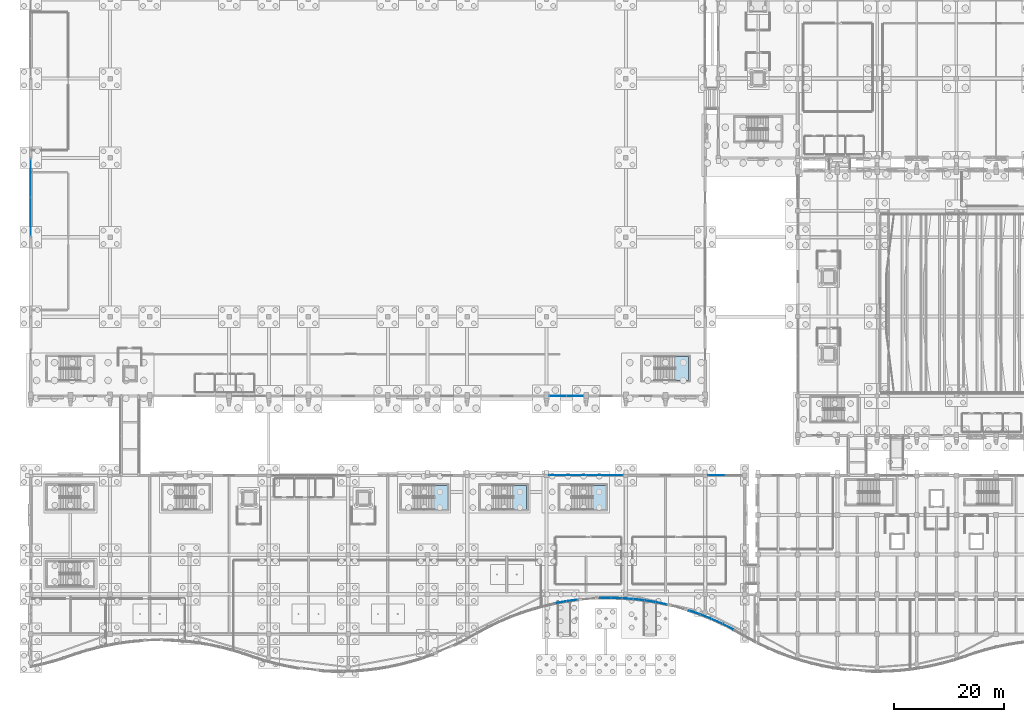
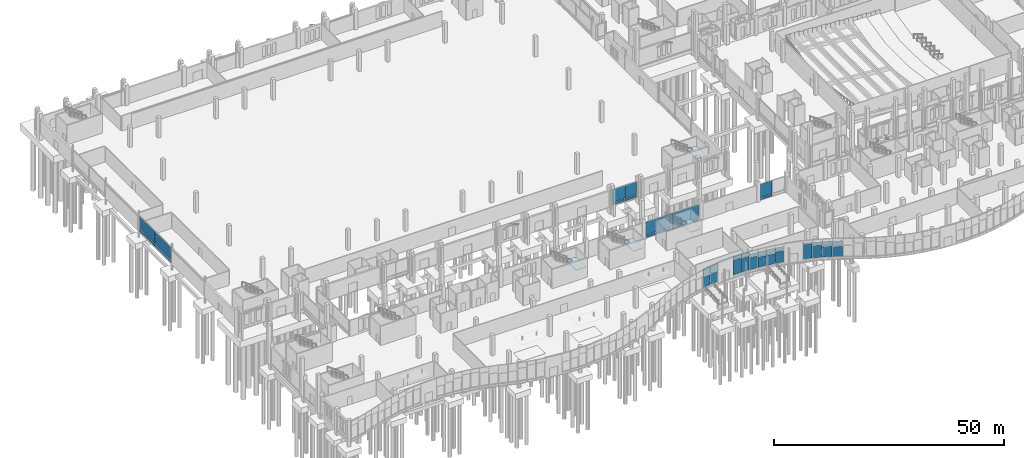
# One storey, part 124 of 192: 38 plates, 4 slabs, 20 elements without a shape of their own.
"""IFC4 building model written with IfcOpenShell, lengths in metres."""

from ifc_helpers import new_model, si_unit, direction, frame, origin, origin_2d, place, context, subcontext, project, spatial, polyline, rectangle, outline, extrude, material, layer, layer_set, type_object, element, aggregate, save


model = new_model("IFC4")

# Units and contexts
model_context = context("Model", 3, precision=1e-05, world=origin(), true_north=direction((0.0, 1.0)))
body_context = subcontext(model_context, "Body", "Model", "MODEL_VIEW")
ifc_project = project(units=[si_unit("LENGTHUNIT", "METRE"), si_unit("AREAUNIT", "SQUARE_METRE"), si_unit("VOLUMEUNIT", "CUBIC_METRE"), si_unit("PLANEANGLEUNIT", "RADIAN"), si_unit("MASSUNIT", "GRAM", prefix="KILO")], contexts=[model_context])

# Site, building, storey
site_placement = place(None, origin())
site = spatial("IfcSite", under=ifc_project, at=site_placement, CompositionType="ELEMENT")
building_placement = place(site_placement, origin())
building = spatial("IfcBuilding", under=site, at=building_placement, Name="Cendralis Lancet Convention Centre", CompositionType="ELEMENT")
storey_placement = place(building_placement, origin())
storey = spatial("IfcBuildingStorey", under=building, at=storey_placement, Name="L00", CompositionType="ELEMENT", Elevation=0.0)

# Curtain wall, plate
ifc_material_1 = material(Name="Anodised bronze architectural aluminium", Category="aluminium")
curtain_wall_type_1 = type_object("IfcCurtainWallType", Name="ARC-CW-WF01", PredefinedType="USERDEFINED", material=ifc_material_1)
curtain_wall_1_placement = place(storey_placement, origin())
curtain_wall_1 = element("IfcCurtainWall", 1, at=curtain_wall_1_placement, inside=storey, type_object=curtain_wall_type_1, Name="L00 Curtain Wall CW-WF1 #042", ObjectType="CURTAIN WALL", PredefinedType="USERDEFINED")
ifc_material_2 = material(Name="Double-glazed low-E solar-control glass", Category="glass")
ifc_layer_1 = layer(ifc_material_2, 0.035888671875, Name="Double-glazed low-E solar-control glass")
ifc_layer_set_1 = layer_set([ifc_layer_1], Name="Double-glazed low-E solar-control glass")
plate_type_1 = type_object("IfcPlateType", Name="ARC-PL-GL01", PredefinedType="CURTAIN_PANEL", material=ifc_layer_set_1)
plate_1_placement = place(storey_placement, frame((96.198486328125, 12.96142578125, 0.52001953125), z_axis=(0.0, 0.0, 1.0), x_axis=(0.983799875759, 0.179270199579, 0.0)))
plate_1 = element("IfcPlate", 2, at=plate_1_placement, type_object=plate_type_1, Name="Vision Glass Panel CW2-CW-WF1-L00-042-PG0", PredefinedType="CURTAIN_PANEL", context=body_context, shape_type="SweptSolid", body=[
    extrude(rectangle(XDim=1.918212890625, YDim=0.035888671875, at=origin_2d()), origin(), (0.0, 0.0, 1.0), 2.669921875),
])

curtain_wall_2_placement = place(storey_placement, origin())
curtain_wall_2 = element("IfcCurtainWall", 3, at=curtain_wall_2_placement, inside=storey, type_object=curtain_wall_type_1, Name="L00 Curtain Wall CW-WF1 #043", ObjectType="CURTAIN WALL", PredefinedType="USERDEFINED")
plate_2_placement = place(storey_placement, frame((98.223388671875, 13.285888671875, 0.52001953125), z_axis=(0.0, 0.0, 1.0), x_axis=(0.990575410163, 0.136968451771, 0.0)))
plate_2 = element("IfcPlate", 4, at=plate_2_placement, type_object=plate_type_1, Name="Vision Glass Panel CW2-CW-WF1-L00-043-PG0", PredefinedType="CURTAIN_PANEL", context=body_context, shape_type="SweptSolid", body=[
    extrude(rectangle(XDim=1.904296875, YDim=0.035888671875, at=origin_2d()), origin(), (0.0, 0.0, 1.0), 2.673095703125),
])

curtain_wall_3_placement = place(storey_placement, origin())
curtain_wall_3 = element("IfcCurtainWall", 5, at=curtain_wall_3_placement, inside=storey, type_object=curtain_wall_type_1, Name="L00 Curtain Wall CW-WF1 #044", ObjectType="CURTAIN WALL", PredefinedType="USERDEFINED")
plate_3_placement = place(storey_placement, frame((104.299560546875, 13.736572265625, 0.52001953125), z_axis=(0.0, 0.0, 1.0), x_axis=(0.999946232046, 0.01036981277, 0.0)))
plate_3 = element("IfcPlate", 6, at=plate_3_placement, type_object=plate_type_1, Name="Vision Glass Panel CW2-CW-WF1-L00-044-PG0", PredefinedType="CURTAIN_PANEL", context=body_context, shape_type="SweptSolid", body=[
    extrude(rectangle(XDim=1.885009765625, YDim=0.035888671875, at=origin_2d()), origin(), (0.0, 0.0, 1.0), 3.910888671875),
])

curtain_wall_4_placement = place(storey_placement, origin())
curtain_wall_4 = element("IfcCurtainWall", 7, at=curtain_wall_4_placement, inside=storey, type_object=curtain_wall_type_1, Name="L00 Curtain Wall CW-WF1 #045", ObjectType="CURTAIN WALL", PredefinedType="USERDEFINED")
plate_4_placement = place(storey_placement, frame((106.324462890625, 13.715087890625, 0.52001953125), z_axis=(0.0, 0.0, 1.0), x_axis=(0.999500937782, -0.031589165445, 0.0)))
plate_4 = element("IfcPlate", 8, at=plate_4_placement, type_object=plate_type_1, Name="Vision Glass Panel CW2-CW-WF1-L00-045-PG0", PredefinedType="CURTAIN_PANEL", context=body_context, shape_type="SweptSolid", body=[
    extrude(rectangle(XDim=1.885986328125, YDim=0.035888671875, at=origin_2d()), origin(), (0.0, 0.0, 1.0), 3.694091796875),
])

curtain_wall_5_placement = place(storey_placement, origin())
curtain_wall_5 = element("IfcCurtainWall", 9, at=curtain_wall_5_placement, inside=storey, type_object=curtain_wall_type_1, Name="L00 Curtain Wall CW-WF1 #046", ObjectType="CURTAIN WALL", PredefinedType="USERDEFINED")
plate_5_placement = place(storey_placement, frame((108.349609375, 13.60791015625, 0.52001953125), z_axis=(0.0, 0.0, 1.0), x_axis=(0.997267754457, -0.073871685514, 0.0)))
plate_5 = element("IfcPlate", 10, at=plate_5_placement, type_object=plate_type_1, Name="Vision Glass Panel CW2-CW-WF1-L00-046-PG0", PredefinedType="CURTAIN_PANEL", context=body_context, shape_type="SweptSolid", body=[
    extrude(rectangle(XDim=1.890380859375, YDim=0.035888671875, at=origin_2d()), origin(), (0.0, 0.0, 1.0), 3.160888671875),
])

curtain_wall_6_placement = place(storey_placement, origin())
curtain_wall_6 = element("IfcCurtainWall", 11, at=curtain_wall_6_placement, inside=storey, type_object=curtain_wall_type_1, Name="L00 Curtain Wall CW-WF1 #047", ObjectType="CURTAIN WALL", PredefinedType="USERDEFINED")
plate_6_placement = place(storey_placement, frame((110.375, 13.41455078125, 0.52001953125), z_axis=(0.0, 0.0, 1.0), x_axis=(0.993227354944, -0.116187010426, 0.0)))
plate_6 = element("IfcPlate", 12, at=plate_6_placement, type_object=plate_type_1, Name="Vision Glass Panel CW2-CW-WF1-L00-047-PG0", PredefinedType="CURTAIN_PANEL", context=body_context, shape_type="SweptSolid", body=[
    extrude(rectangle(XDim=1.89990234375, YDim=0.035888671875, at=origin_2d()), origin(), (0.0, 0.0, 1.0), 2.699951171875),
])

curtain_wall_7_placement = place(storey_placement, origin())
curtain_wall_7 = element("IfcCurtainWall", 13, at=curtain_wall_7_placement, inside=storey, type_object=curtain_wall_type_1, Name="L00 Curtain Wall CW-WF1 #048", ObjectType="CURTAIN WALL", PredefinedType="USERDEFINED")
plate_7_placement = place(storey_placement, frame((112.400390625, 13.133544921875, 0.52001953125), z_axis=(0.0, 0.0, 1.0), x_axis=(0.987364450794, -0.158465899514, 0.0)))
plate_7 = element("IfcPlate", 14, at=plate_7_placement, type_object=plate_type_1, Name="Vision Glass Panel CW2-CW-WF1-L00-048-PG0", PredefinedType="CURTAIN_PANEL", context=body_context, shape_type="SweptSolid", body=[
    extrude(rectangle(XDim=1.910888671875, YDim=0.035888671875, at=origin_2d()), origin(), (0.0, 0.0, 1.0), 2.64892578125),
])

curtain_wall_8_placement = place(storey_placement, origin())
curtain_wall_8 = element("IfcCurtainWall", 15, at=curtain_wall_8_placement, inside=storey, type_object=curtain_wall_type_1, Name="L00 Curtain Wall CW-WF1 #049", ObjectType="CURTAIN WALL", PredefinedType="USERDEFINED")
plate_8_placement = place(storey_placement, frame((114.425537109375, 12.763427734375, 0.52001953125), z_axis=(0.0, 0.0, 1.0), x_axis=(0.979639310677, -0.200765587131, 0.0)))
plate_8 = element("IfcPlate", 16, at=plate_8_placement, type_object=plate_type_1, Name="Vision Glass Panel CW2-CW-WF1-L00-049-PG0", PredefinedType="CURTAIN_PANEL", context=body_context, shape_type="SweptSolid", body=[
    extrude(rectangle(XDim=1.927001953125, YDim=0.035888671875, at=origin_2d()), origin(), (0.0, 0.0, 1.0), 3.044921875),
])

curtain_wall_9_placement = place(storey_placement, origin())
curtain_wall_9 = element("IfcCurtainWall", 17, at=curtain_wall_9_placement, inside=storey, type_object=curtain_wall_type_1, Name="L00 Curtain Wall CW-WF1 #050", ObjectType="CURTAIN WALL", PredefinedType="USERDEFINED")
plate_9_placement = place(storey_placement, frame((120.50146484375, 11.096435546875, 0.52001953125), z_axis=(0.0, 0.0, 1.0), x_axis=(0.9449805252, -0.327126591692, 0.0)))
plate_9 = element("IfcPlate", 18, at=plate_9_placement, type_object=plate_type_1, Name="Vision Glass Panel CW2-CW-WF1-L00-050-PG0", PredefinedType="CURTAIN_PANEL", context=body_context, shape_type="SweptSolid", body=[
    extrude(rectangle(XDim=2.0029296875, YDim=0.035888671875, at=origin_2d()), origin(), (0.0, 0.0, 1.0), 3.739990234375),
])

curtain_wall_10_placement = place(storey_placement, origin())
curtain_wall_10 = element("IfcCurtainWall", 19, at=curtain_wall_10_placement, inside=storey, type_object=curtain_wall_type_1, Name="L00 Curtain Wall CW-WF1 #051", ObjectType="CURTAIN WALL", PredefinedType="USERDEFINED")
plate_10_placement = place(storey_placement, frame((122.526611328125, 10.343505859375, 0.52001953125), z_axis=(0.0, 0.0, 1.0), x_axis=(0.929265785117, -0.369411830633, 0.0)))
plate_10 = element("IfcPlate", 20, at=plate_10_placement, type_object=plate_type_1, Name="Vision Glass Panel CW2-CW-WF1-L00-051-PG0", PredefinedType="CURTAIN_PANEL", context=body_context, shape_type="SweptSolid", body=[
    extrude(rectangle(XDim=2.0390625, YDim=0.035888671875, at=origin_2d()), origin(), (0.0, 0.0, 1.0), 3.22412109375),
])

curtain_wall_11_placement = place(storey_placement, origin())
curtain_wall_11 = element("IfcCurtainWall", 21, at=curtain_wall_11_placement, inside=storey, type_object=curtain_wall_type_1, Name="L00 Curtain Wall CW-WF1 #052", ObjectType="CURTAIN WALL", PredefinedType="USERDEFINED")
plate_11_placement = place(storey_placement, frame((124.551513671875, 9.48388671875, 0.52001953125), z_axis=(0.0, 0.0, 1.0), x_axis=(0.911457720958, -0.411393756523, 0.0)))
plate_11 = element("IfcPlate", 22, at=plate_11_placement, type_object=plate_type_1, Name="Vision Glass Panel CW2-CW-WF1-L00-052-PG0", PredefinedType="CURTAIN_PANEL", context=body_context, shape_type="SweptSolid", body=[
    extrude(rectangle(XDim=2.081787109375, YDim=0.035888671875, at=origin_2d()), origin(), (0.0, 0.0, 1.0), 2.735107421875),
])

curtain_wall_12_placement = place(storey_placement, origin())
curtain_wall_12 = element("IfcCurtainWall", 23, at=curtain_wall_12_placement, inside=storey, type_object=curtain_wall_type_1, Name="L00 Curtain Wall CW-WF1 #053", ObjectType="CURTAIN WALL", PredefinedType="USERDEFINED")
plate_12_placement = place(storey_placement, frame((126.576904296875, 8.510986328125, 0.52001953125), z_axis=(0.0, 0.0, 1.0), x_axis=(0.891059634359, -0.453886250085, 0.0)))
plate_12 = element("IfcPlate", 24, at=plate_12_placement, type_object=plate_type_1, Name="Vision Glass Panel CW2-CW-WF1-L00-053-PG0", PredefinedType="CURTAIN_PANEL", context=body_context, shape_type="SweptSolid", body=[
    extrude(rectangle(XDim=2.1337890625, YDim=0.035888671875, at=origin_2d()), origin(), (0.0, 0.0, 1.0), 2.6298828125),
])

# Curtain wall, plates
curtain_wall_type_2 = type_object("IfcCurtainWallType", Name="ARC-CW-CL01", PredefinedType="USERDEFINED", material=ifc_material_1)
curtain_wall_13_placement = place(storey_placement, origin())
curtain_wall_13 = element("IfcCurtainWall", 25, at=curtain_wall_13_placement, inside=storey, type_object=curtain_wall_type_2, Name="L00 Curtain Wall CW-CL1 #092", ObjectType="CURTAIN WALL", PredefinedType="USERDEFINED")
ifc_layer_2 = layer(ifc_material_2, 0.035888671875, Name="Double-glazed low-E solar-control glass")
ifc_layer_set_2 = layer_set([ifc_layer_2], Name="Double-glazed low-E solar-control glass")
plate_type_2 = type_object("IfcPlateType", Name="ARC-PL-GL02", PredefinedType="CURTAIN_PANEL", material=ifc_layer_set_2)
plate_13_placement = place(storey_placement, frame((98.768798828125, 50.39990234375, 0.81982421875), z_axis=(0.0, 0.0, 1.0), x_axis=(-1.0, 0.0, 0.0)))
plate_13 = element("IfcPlate", 26, at=plate_13_placement, type_object=plate_type_2, Name="Vision Glass Panel CW2-CW-CL1-L00-092-PG0", PredefinedType="CURTAIN_PANEL", context=body_context, shape_type="SweptSolid", body=[
    extrude(rectangle(XDim=2.952392578125, YDim=0.035888671875, at=origin_2d()), origin(), (0.0, 0.0, 1.0), 3.364990234375),
])
plate_14_placement = place(storey_placement, frame((95.65625, 50.39990234375, 0.81982421875), z_axis=(0.0, 0.0, 1.0), x_axis=(-1.0, 0.0, 0.0)))
plate_14 = element("IfcPlate", 27, at=plate_14_placement, type_object=plate_type_2, Name="Vision Glass Panel CW2-CW-CL1-L00-092-PG1", PredefinedType="CURTAIN_PANEL", context=body_context, shape_type="SweptSolid", body=[
    extrude(rectangle(XDim=2.952392578125, YDim=0.035888671875, at=origin_2d()), origin(), (0.0, 0.0, 1.0), 3.364990234375),
])

curtain_wall_type_3 = type_object("IfcCurtainWallType", Name="ARC-CW-GB01", PredefinedType="USERDEFINED", material=ifc_material_1)
curtain_wall_14_placement = place(storey_placement, origin())
curtain_wall_14 = element("IfcCurtainWall", 28, at=curtain_wall_14_placement, inside=storey, type_object=curtain_wall_type_3, Name="L00 Curtain Wall CW-GB1 #093", ObjectType="CURTAIN WALL", PredefinedType="USERDEFINED")
plate_15_placement = place(storey_placement, frame((0.0, 82.913818359375, 0.830078125), z_axis=(0.0, 0.0, 1.0), x_axis=(0.0, 1.0, 0.0)))
plate_15 = element("IfcPlate", 29, at=plate_15_placement, type_object=plate_type_2, Name="Vision Glass Panel CW2-CW-GB1-L00-093-PG0", PredefinedType="CURTAIN_PANEL", context=body_context, shape_type="SweptSolid", body=[
    extrude(rectangle(XDim=6.792236328125, YDim=0.035888671875, at=origin_2d()), origin(), (0.0, 0.0, 1.0), 3.344970703125),
])
plate_16_placement = place(storey_placement, frame((0.0, 89.885986328125, 0.830078125), z_axis=(0.0, 0.0, 1.0), x_axis=(0.0, 1.0, 0.0)))
plate_16 = element("IfcPlate", 30, at=plate_16_placement, type_object=plate_type_2, Name="Vision Glass Panel CW2-CW-GB1-L00-093-PG1", PredefinedType="CURTAIN_PANEL", context=body_context, shape_type="SweptSolid", body=[
    extrude(rectangle(XDim=6.792236328125, YDim=0.035888671875, at=origin_2d()), origin(), (0.0, 0.0, 1.0), 3.344970703125),
])

curtain_wall_15_placement = place(storey_placement, origin())
curtain_wall_15 = element("IfcCurtainWall", 31, at=curtain_wall_15_placement, inside=storey, type_object=curtain_wall_type_2, Name="L00 Curtain Wall CW-CL1 #164", ObjectType="CURTAIN WALL", PredefinedType="USERDEFINED")
ifc_layer_3 = layer(ifc_material_2, 0.035888671875, Name="Double-glazed low-E solar-control glass")
ifc_layer_set_3 = layer_set([ifc_layer_3], Name="Double-glazed low-E solar-control glass")
plate_type_3 = type_object("IfcPlateType", Name="ARC-PL-GL03", PredefinedType="CURTAIN_PANEL", material=ifc_layer_set_3)
plate_17_placement = place(storey_placement, frame((97.4375, 36.0, 0.81982421875), z_axis=(0.0, 0.0, 1.0), x_axis=(1.0, 0.0, 0.0)))
plate_17 = element("IfcPlate", 32, at=plate_17_placement, type_object=plate_type_3, Name="Vision Glass Panel CW2-CW-CL1-L00-164-PG0", PredefinedType="CURTAIN_PANEL", context=body_context, shape_type="SweptSolid", body=[
    extrude(rectangle(XDim=6.5849609375, YDim=0.035888671875, at=origin_2d()), origin(), (0.0, 0.0, 1.0), 3.465087890625),
])
plate_18_placement = place(storey_placement, frame((104.16259765625, 36.0, 0.81982421875), z_axis=(0.0, 0.0, 1.0), x_axis=(1.0, 0.0, 0.0)))
plate_18 = element("IfcPlate", 33, at=plate_18_placement, type_object=plate_type_3, Name="Vision Glass Panel CW2-CW-CL1-L00-164-PG1", PredefinedType="CURTAIN_PANEL", context=body_context, shape_type="SweptSolid", body=[
    extrude(rectangle(XDim=6.5849609375, YDim=0.035888671875, at=origin_2d()), origin(), (0.0, 0.0, 1.0), 3.465087890625),
])

# Curtain wall, plate
curtain_wall_16_placement = place(storey_placement, origin())
curtain_wall_16 = element("IfcCurtainWall", 34, at=curtain_wall_16_placement, inside=storey, type_object=curtain_wall_type_2, Name="L00 Curtain Wall CW-CL1 #165", ObjectType="CURTAIN WALL", PredefinedType="USERDEFINED")
plate_19_placement = place(storey_placement, frame((124.4375, 36.0, 0.81982421875), z_axis=(0.0, 0.0, 1.0), x_axis=(1.0, 0.0, 0.0)))
plate_19 = element("IfcPlate", 35, at=plate_19_placement, type_object=plate_type_3, Name="Vision Glass Panel CW2-CW-CL1-L00-165-PG0", PredefinedType="CURTAIN_PANEL", context=body_context, shape_type="SweptSolid", body=[
    extrude(rectangle(XDim=2.985107421875, YDim=0.035888671875, at=origin_2d()), origin(), (0.0, 0.0, 1.0), 3.465087890625),
])

# Plate
ifc_material_3 = material(Name="Insulated ceramic-fritted spandrel glass", Category="glass")
ifc_layer_4 = layer(ifc_material_3, 0.044921875, Name="Insulated ceramic-fritted spandrel glass")
ifc_layer_set_4 = layer_set([ifc_layer_4], Name="Insulated ceramic-fritted spandrel glass")
plate_type_4 = type_object("IfcPlateType", Name="ARC-PL-SP01", PredefinedType="CURTAIN_PANEL", material=ifc_layer_set_4)
plate_20_placement = place(storey_placement, frame((96.198486328125, 12.96142578125, 3.330078125), z_axis=(0.0, 0.0, 1.0), x_axis=(0.983799875759, 0.179270199579, 0.0)))
plate_20 = element("IfcPlate", 36, at=plate_20_placement, type_object=plate_type_4, Name="Spandrel Panel CW2-CW-WF1-L00-042-PS0", PredefinedType="CURTAIN_PANEL", context=body_context, shape_type="SweptSolid", body=[
    extrude(rectangle(XDim=1.918212890625, YDim=0.044921875, at=origin_2d()), origin(), (0.0, 0.0, 1.0), 2.0),
])

aggregate(curtain_wall_1, [plate_1, plate_20])

plate_21_placement = place(storey_placement, frame((98.223388671875, 13.285888671875, 3.3330078125), z_axis=(0.0, 0.0, 1.0), x_axis=(0.990575410163, 0.136968451771, 0.0)))
plate_21 = element("IfcPlate", 37, at=plate_21_placement, type_object=plate_type_4, Name="Spandrel Panel CW2-CW-WF1-L00-043-PS0", PredefinedType="CURTAIN_PANEL", context=body_context, shape_type="SweptSolid", body=[
    extrude(rectangle(XDim=1.904296875, YDim=0.044921875, at=origin_2d()), origin(), (0.0, 0.0, 1.0), 1.9970703125),
])

aggregate(curtain_wall_2, [plate_2, plate_21])

plate_22_placement = place(storey_placement, frame((104.299560546875, 13.736572265625, 4.57080078125), z_axis=(0.0, 0.0, 1.0), x_axis=(0.999946232046, 0.01036981277, 0.0)))
plate_22 = element("IfcPlate", 38, at=plate_22_placement, type_object=plate_type_4, Name="Spandrel Panel CW2-CW-WF1-L00-044-PS0", PredefinedType="CURTAIN_PANEL", context=body_context, shape_type="SweptSolid", body=[
    extrude(rectangle(XDim=1.885009765625, YDim=0.044921875, at=origin_2d()), origin(), (0.0, 0.0, 1.0), 0.759033203125),
])

aggregate(curtain_wall_3, [plate_3, plate_22])

plate_23_placement = place(storey_placement, frame((106.324462890625, 13.715087890625, 4.35400390625), z_axis=(0.0, 0.0, 1.0), x_axis=(0.999500937782, -0.031589165445, 0.0)))
plate_23 = element("IfcPlate", 39, at=plate_23_placement, type_object=plate_type_4, Name="Spandrel Panel CW2-CW-WF1-L00-045-PS0", PredefinedType="CURTAIN_PANEL", context=body_context, shape_type="SweptSolid", body=[
    extrude(rectangle(XDim=1.885986328125, YDim=0.044921875, at=origin_2d()), origin(), (0.0, 0.0, 1.0), 0.97607421875),
])

aggregate(curtain_wall_4, [plate_4, plate_23])

plate_24_placement = place(storey_placement, frame((108.349609375, 13.60791015625, 3.821044921875), z_axis=(0.0, 0.0, 1.0), x_axis=(0.997267754457, -0.073871685514, 0.0)))
plate_24 = element("IfcPlate", 40, at=plate_24_placement, type_object=plate_type_4, Name="Spandrel Panel CW2-CW-WF1-L00-046-PS0", PredefinedType="CURTAIN_PANEL", context=body_context, shape_type="SweptSolid", body=[
    extrude(rectangle(XDim=1.890380859375, YDim=0.044921875, at=origin_2d()), origin(), (0.0, 0.0, 1.0), 0.81396484375),
])

aggregate(curtain_wall_5, [plate_5, plate_24])

plate_25_placement = place(storey_placement, frame((110.375, 13.41455078125, 3.360107421875), z_axis=(0.0, 0.0, 1.0), x_axis=(0.993227354944, -0.116187010426, 0.0)))
plate_25 = element("IfcPlate", 41, at=plate_25_placement, type_object=plate_type_4, Name="Spandrel Panel CW2-CW-WF1-L00-047-PS0", PredefinedType="CURTAIN_PANEL", context=body_context, shape_type="SweptSolid", body=[
    extrude(rectangle(XDim=1.89990234375, YDim=0.044921875, at=origin_2d()), origin(), (0.0, 0.0, 1.0), 1.27490234375),
])

aggregate(curtain_wall_6, [plate_6, plate_25])

plate_26_placement = place(storey_placement, frame((112.400390625, 13.133544921875, 3.30908203125), z_axis=(0.0, 0.0, 1.0), x_axis=(0.987364450794, -0.158465899514, 0.0)))
plate_26 = element("IfcPlate", 42, at=plate_26_placement, type_object=plate_type_4, Name="Spandrel Panel CW2-CW-WF1-L00-048-PS0", PredefinedType="CURTAIN_PANEL", context=body_context, shape_type="SweptSolid", body=[
    extrude(rectangle(XDim=1.910888671875, YDim=0.044921875, at=origin_2d()), origin(), (0.0, 0.0, 1.0), 1.325927734375),
])

aggregate(curtain_wall_7, [plate_7, plate_26])

plate_27_placement = place(storey_placement, frame((114.425537109375, 12.763427734375, 3.705078125), z_axis=(0.0, 0.0, 1.0), x_axis=(0.979639310677, -0.200765587131, 0.0)))
plate_27 = element("IfcPlate", 43, at=plate_27_placement, type_object=plate_type_4, Name="Spandrel Panel CW2-CW-WF1-L00-049-PS0", PredefinedType="CURTAIN_PANEL", context=body_context, shape_type="SweptSolid", body=[
    extrude(rectangle(XDim=1.927001953125, YDim=0.044921875, at=origin_2d()), origin(), (0.0, 0.0, 1.0), 0.929931640625),
])

aggregate(curtain_wall_8, [plate_8, plate_27])

plate_28_placement = place(storey_placement, frame((120.50146484375, 11.096435546875, 4.39990234375), z_axis=(0.0, 0.0, 1.0), x_axis=(0.9449805252, -0.327126591692, 0.0)))
plate_28 = element("IfcPlate", 44, at=plate_28_placement, type_object=plate_type_4, Name="Spandrel Panel CW2-CW-WF1-L00-050-PS0", PredefinedType="CURTAIN_PANEL", context=body_context, shape_type="SweptSolid", body=[
    extrude(rectangle(XDim=2.0029296875, YDim=0.044921875, at=origin_2d()), origin(), (0.0, 0.0, 1.0), 0.235107421875),
])

aggregate(curtain_wall_9, [plate_9, plate_28])

plate_29_placement = place(storey_placement, frame((122.526611328125, 10.343505859375, 3.884033203125), z_axis=(0.0, 0.0, 1.0), x_axis=(0.929265785117, -0.369411830633, 0.0)))
plate_29 = element("IfcPlate", 45, at=plate_29_placement, type_object=plate_type_4, Name="Spandrel Panel CW2-CW-WF1-L00-051-PS0", PredefinedType="CURTAIN_PANEL", context=body_context, shape_type="SweptSolid", body=[
    extrude(rectangle(XDim=2.0390625, YDim=0.044921875, at=origin_2d()), origin(), (0.0, 0.0, 1.0), 0.7509765625),
])

aggregate(curtain_wall_10, [plate_10, plate_29])

plate_30_placement = place(storey_placement, frame((124.551513671875, 9.48388671875, 3.39501953125), z_axis=(0.0, 0.0, 1.0), x_axis=(0.911457720958, -0.411393756523, 0.0)))
plate_30 = element("IfcPlate", 46, at=plate_30_placement, type_object=plate_type_4, Name="Spandrel Panel CW2-CW-WF1-L00-052-PS0", PredefinedType="CURTAIN_PANEL", context=body_context, shape_type="SweptSolid", body=[
    extrude(rectangle(XDim=2.081787109375, YDim=0.044921875, at=origin_2d()), origin(), (0.0, 0.0, 1.0), 1.239990234375),
])

aggregate(curtain_wall_11, [plate_11, plate_30])

plate_31_placement = place(storey_placement, frame((126.576904296875, 8.510986328125, 3.2900390625), z_axis=(0.0, 0.0, 1.0), x_axis=(0.891059634359, -0.453886250085, 0.0)))
plate_31 = element("IfcPlate", 47, at=plate_31_placement, type_object=plate_type_4, Name="Spandrel Panel CW2-CW-WF1-L00-053-PS0", PredefinedType="CURTAIN_PANEL", context=body_context, shape_type="SweptSolid", body=[
    extrude(rectangle(XDim=2.1337890625, YDim=0.044921875, at=origin_2d()), origin(), (0.0, 0.0, 1.0), 1.344970703125),
])

aggregate(curtain_wall_12, [plate_12, plate_31])

plate_32_placement = place(storey_placement, frame((98.768798828125, 50.39990234375, 0.06982421875), z_axis=(0.0, 0.0, 1.0), x_axis=(-1.0, 0.0, 0.0)))
plate_32 = element("IfcPlate", 48, at=plate_32_placement, type_object=plate_type_4, Name="Spandrel Panel CW2-CW-CL1-L00-092-PS0", PredefinedType="CURTAIN_PANEL", context=body_context, shape_type="SweptSolid", body=[
    extrude(rectangle(XDim=2.952392578125, YDim=0.044921875, at=origin_2d()), origin(), (0.0, 0.0, 1.0), 0.610107421875),
])

plate_33_placement = place(storey_placement, frame((95.65625, 50.39990234375, 0.06982421875), z_axis=(0.0, 0.0, 1.0), x_axis=(-1.0, 0.0, 0.0)))
plate_33 = element("IfcPlate", 49, at=plate_33_placement, type_object=plate_type_4, Name="Spandrel Panel CW2-CW-CL1-L00-092-PS1", PredefinedType="CURTAIN_PANEL", context=body_context, shape_type="SweptSolid", body=[
    extrude(rectangle(XDim=2.952392578125, YDim=0.044921875, at=origin_2d()), origin(), (0.0, 0.0, 1.0), 0.610107421875),
])

aggregate(curtain_wall_13, [plate_32, plate_13, plate_33, plate_14])

plate_34_placement = place(storey_placement, frame((0.0, 82.913818359375, 0.080078125), z_axis=(0.0, 0.0, 1.0), x_axis=(0.0, 1.0, 0.0)))
plate_34 = element("IfcPlate", 50, at=plate_34_placement, type_object=plate_type_4, Name="Spandrel Panel CW2-CW-GB1-L00-093-PS0", PredefinedType="CURTAIN_PANEL", context=body_context, shape_type="SweptSolid", body=[
    extrude(rectangle(XDim=6.792236328125, YDim=0.044921875, at=origin_2d()), origin(), (0.0, 0.0, 1.0), 0.590087890625),
])

plate_35_placement = place(storey_placement, frame((0.0, 89.885986328125, 0.080078125), z_axis=(0.0, 0.0, 1.0), x_axis=(0.0, 1.0, 0.0)))
plate_35 = element("IfcPlate", 51, at=plate_35_placement, type_object=plate_type_4, Name="Spandrel Panel CW2-CW-GB1-L00-093-PS1", PredefinedType="CURTAIN_PANEL", context=body_context, shape_type="SweptSolid", body=[
    extrude(rectangle(XDim=6.792236328125, YDim=0.044921875, at=origin_2d()), origin(), (0.0, 0.0, 1.0), 0.590087890625),
])

aggregate(curtain_wall_14, [plate_34, plate_15, plate_35, plate_16])

plate_36_placement = place(storey_placement, frame((97.4375, 36.0, 0.06982421875), z_axis=(0.0, 0.0, 1.0), x_axis=(1.0, 0.0, 0.0)))
plate_36 = element("IfcPlate", 52, at=plate_36_placement, type_object=plate_type_4, Name="Spandrel Panel CW2-CW-CL1-L00-164-PS0", PredefinedType="CURTAIN_PANEL", context=body_context, shape_type="SweptSolid", body=[
    extrude(rectangle(XDim=6.5849609375, YDim=0.044921875, at=origin_2d()), origin(), (0.0, 0.0, 1.0), 0.610107421875),
])

plate_37_placement = place(storey_placement, frame((104.16259765625, 36.0, 0.06982421875), z_axis=(0.0, 0.0, 1.0), x_axis=(1.0, 0.0, 0.0)))
plate_37 = element("IfcPlate", 53, at=plate_37_placement, type_object=plate_type_4, Name="Spandrel Panel CW2-CW-CL1-L00-164-PS1", PredefinedType="CURTAIN_PANEL", context=body_context, shape_type="SweptSolid", body=[
    extrude(rectangle(XDim=6.5849609375, YDim=0.044921875, at=origin_2d()), origin(), (0.0, 0.0, 1.0), 0.610107421875),
])

aggregate(curtain_wall_15, [plate_36, plate_17, plate_37, plate_18])

plate_38_placement = place(storey_placement, frame((124.4375, 36.0, 0.06982421875), z_axis=(0.0, 0.0, 1.0), x_axis=(1.0, 0.0, 0.0)))
plate_38 = element("IfcPlate", 54, at=plate_38_placement, type_object=plate_type_4, Name="Spandrel Panel CW2-CW-CL1-L00-165-PS0", PredefinedType="CURTAIN_PANEL", context=body_context, shape_type="SweptSolid", body=[
    extrude(rectangle(XDim=2.985107421875, YDim=0.044921875, at=origin_2d()), origin(), (0.0, 0.0, 1.0), 0.610107421875),
])

aggregate(curtain_wall_16, [plate_38, plate_19])

# Stair, slab
ifc_material_4 = material(Name="Concrete G35 (C35/45)", Category="concrete")
stair_type = type_object("IfcStairType", Name="ARC-ST-CORE", PredefinedType="HALF_TURN_STAIR", material=ifc_material_4)
stair_1_placement = place(storey_placement, origin())
stair_1 = element("IfcStair", 55, at=stair_1_placement, inside=storey, type_object=stair_type, Name="L00 Protected Exit Stair ST-03", PredefinedType="HALF_TURN_STAIR")
ifc_layer_5 = layer(ifc_material_4, 0.199951171875, Name="Concrete G35 (C35/45)")
ifc_layer_set_5 = layer_set([ifc_layer_5], Name="Concrete G35 (C35/45)")
slab_type = type_object("IfcSlabType", Name="STR-SL-LAND", PredefinedType="LANDING", material=ifc_layer_set_5)
slab_1_placement = place(storey_placement, frame((0.0, 0.0, 2.5)))
slab_1 = element("IfcSlab", 56, at=slab_1_placement, type_object=slab_type, Name="ST-03 landing 1", PredefinedType="LANDING", context=body_context, shape_type="SweptSolid", body=[
    extrude(outline(polyline([(116.909912109375, 53.199951171875), (119.39990234375, 53.199951171875), (119.39990234375, 57.580078125), (116.909912109375, 57.580078125), (116.909912109375, 53.199951171875)])), origin(), (0.0, 0.0, 1.0), 0.199951171875),
])
aggregate(stair_1, [slab_1])

stair_2_placement = place(storey_placement, origin())
stair_2 = element("IfcStair", 57, at=stair_2_placement, inside=storey, type_object=stair_type, Name="L00 Protected Exit Stair ST-12", PredefinedType="HALF_TURN_STAIR")
slab_2_placement = place(storey_placement, frame((0.0, 0.0, 2.5)))
slab_2 = element("IfcSlab", 58, at=slab_2_placement, type_object=slab_type, Name="ST-12 landing 1", PredefinedType="LANDING", context=body_context, shape_type="SweptSolid", body=[
    extrude(outline(polyline([(73.110107421875, 29.800048828125), (75.60009765625, 29.800048828125), (75.60009765625, 34.179931640625), (73.110107421875, 34.179931640625), (73.110107421875, 29.800048828125)])), origin(), (0.0, 0.0, 1.0), 0.199951171875),
])
aggregate(stair_2, [slab_2])

stair_3_placement = place(storey_placement, origin())
stair_3 = element("IfcStair", 59, at=stair_3_placement, inside=storey, type_object=stair_type, Name="L00 Protected Exit Stair ST-18", PredefinedType="HALF_TURN_STAIR")
slab_3_placement = place(storey_placement, frame((0.0, 0.0, 2.5)))
slab_3 = element("IfcSlab", 60, at=slab_3_placement, type_object=slab_type, Name="ST-18 landing 1", PredefinedType="LANDING", context=body_context, shape_type="SweptSolid", body=[
    extrude(outline(polyline([(101.909912109375, 29.800048828125), (104.39990234375, 29.800048828125), (104.39990234375, 34.179931640625), (101.909912109375, 34.179931640625), (101.909912109375, 29.800048828125)])), origin(), (0.0, 0.0, 1.0), 0.199951171875),
])
aggregate(stair_3, [slab_3])

stair_4_placement = place(storey_placement, origin())
stair_4 = element("IfcStair", 61, at=stair_4_placement, inside=storey, type_object=stair_type, Name="L00 Protected Exit Stair ST-21", PredefinedType="HALF_TURN_STAIR")
slab_4_placement = place(storey_placement, frame((0.0, 0.0, 2.5)))
slab_4 = element("IfcSlab", 62, at=slab_4_placement, type_object=slab_type, Name="ST-21 landing 1", PredefinedType="LANDING", context=body_context, shape_type="SweptSolid", body=[
    extrude(outline(polyline([(87.510009765625, 29.800048828125), (90.0, 29.800048828125), (90.0, 34.179931640625), (87.510009765625, 34.179931640625), (87.510009765625, 29.800048828125)])), origin(), (0.0, 0.0, 1.0), 0.199951171875),
])
aggregate(stair_4, [slab_4])

save(model, "model.ifc")
